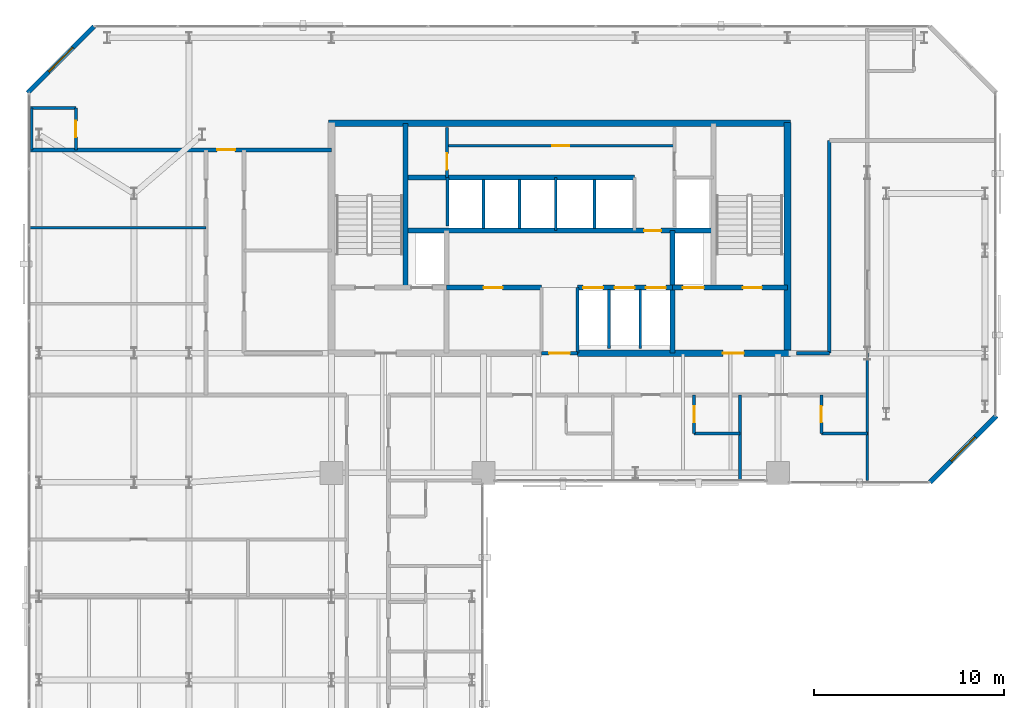
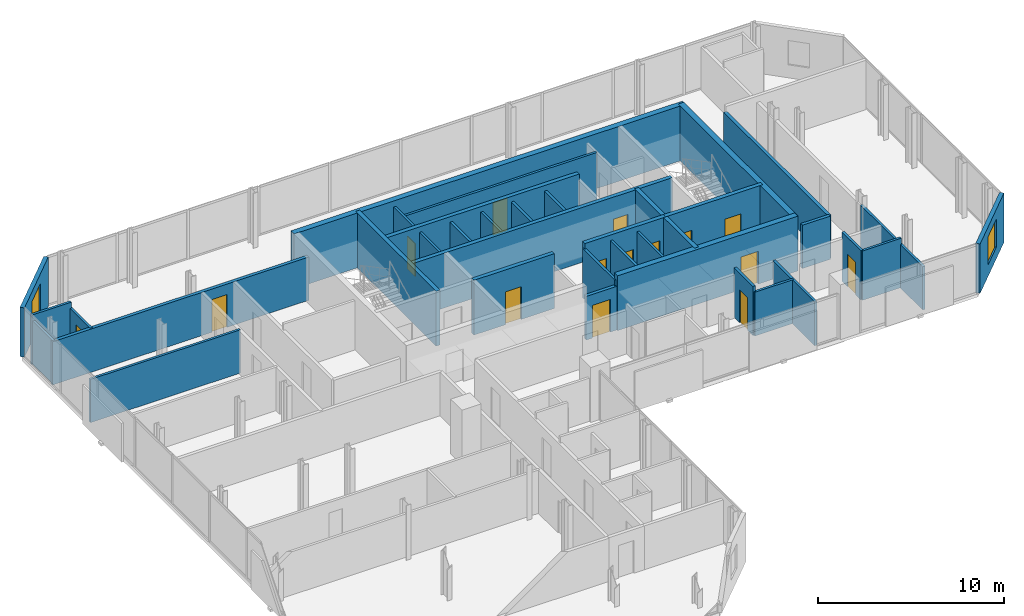
# One storey, part 29 of 32: 36 walls, 15 doors, 2 windows, 17 openings.
"""IFC4 building model written with IfcOpenShell, lengths in metres."""

from ifc_helpers import new_model, si_unit, direction, frame, frame_2d, origin, place, context, subcontext, project, spatial, rectangle, extrude, material, layer, layer_set, type_object, element, fill, save


model = new_model("IFC4")

# Units and contexts
model_context = context("Model", 3, precision=1e-05, world=origin(), true_north=direction((0.0, 1.0)))
body_context = subcontext(model_context, "Body", "Model", "MODEL_VIEW")
ifc_project = project(units=[si_unit("LENGTHUNIT", "METRE"), si_unit("AREAUNIT", "SQUARE_METRE"), si_unit("VOLUMEUNIT", "CUBIC_METRE"), si_unit("PLANEANGLEUNIT", "RADIAN"), si_unit("MASSUNIT", "GRAM", prefix="KILO")], contexts=[model_context])

# Site, building, storey
site_placement = place(None, origin())
site = spatial("IfcSite", under=ifc_project, at=site_placement, CompositionType="ELEMENT")
building_placement = place(site_placement, origin())
building = spatial("IfcBuilding", under=site, at=building_placement, Name="Catumbela Crestline Tower", CompositionType="ELEMENT")
storey_placement = place(building_placement, frame((0.0, 0.0, 140.4)))
storey = spatial("IfcBuildingStorey", under=building, at=storey_placement, Name="L36", CompositionType="ELEMENT", Elevation=140.4)

# Walls
ifc_material_1 = material(Name="Concrete C50/60", Category="concrete")
ifc_layer_1 = layer(ifc_material_1, 0.25, Name="Concrete C50/60")
ifc_layer_set_1 = layer_set([ifc_layer_1], Name="Concrete C50/60")
wall_type_1 = type_object("IfcWallType", Name="CW-250D", PredefinedType="SHEAR", material=ifc_layer_set_1)
wall_1_placement = place(storey_placement, frame((19.9, 34.25, 0.0), z_axis=(0.0, 0.0, 1.0), x_axis=(0.0, 1.0, 0.0)))
element("IfcWall", 1, at=wall_1_placement, inside=storey, type_object=wall_type_1, Name="L36 Structural Core Shear Wall WWEB", PredefinedType="SHEAR", context=body_context, shape_type="SweptSolid", body=[
    extrude(rectangle(XDim=8.65, YDim=0.25, at=frame_2d((4.325, 0.0))), origin(), (0.0, 0.0, 1.0), 3.6),
])
wall_2_placement = place(storey_placement, frame((33.95, 30.8, 0.0), z_axis=(0.0, 0.0, 1.0), x_axis=(0.0, 1.0, 0.0)))
element("IfcWall", 2, at=wall_2_placement, inside=storey, type_object=wall_type_1, Name="L36 Structural Core Shear Wall FFE", PredefinedType="SHEAR", context=body_context, shape_type="SweptSolid", body=[
    extrude(rectangle(XDim=6.45, YDim=0.25, at=frame_2d((3.225, 0.0))), origin(), (0.0, 0.0, 1.0), 3.6),
])

# Wall, openings, doors
wall_3_placement = place(storey_placement, frame((33.95, 34.25, 0.0), z_axis=(0.0, 0.0, 1.0), x_axis=(1.0, 0.0, 0.0)))
wall_3 = element("IfcWall", 3, at=wall_3_placement, inside=storey, type_object=wall_type_1, Name="L36 Structural Core Shear Wall ST2S", PredefinedType="SHEAR", context=body_context, shape_type="SweptSolid", body=[
    extrude(rectangle(XDim=6.05, YDim=0.25, at=frame_2d((3.025, 0.0))), origin(), (0.0, 0.0, 1.0), 3.6),
])
opening_1_placement = place(wall_3_placement, frame((3.7, 0.0, 0.0)))
opening_1 = element("IfcOpeningElement", 4, at=opening_1_placement, cuts=wall_3, Name="Opening DF9-100", PredefinedType="OPENING", context=body_context, shape_type="SweptSolid", body=[
    extrude(rectangle(XDim=1.0, YDim=2.15, at=frame_2d((0.5, 1.075))), frame((0.0, 0.135, 0.0), z_axis=(0.0, -1.0, 0.0), x_axis=(1.0, 0.0, 0.0)), (0.0, 0.0, 1.0), 0.27),
])
opening_2_placement = place(wall_3_placement, frame((0.55, 0.0, 0.0)))
opening_2 = element("IfcOpeningElement", 5, at=opening_2_placement, cuts=wall_3, Name="Opening LD-110", PredefinedType="OPENING", context=body_context, shape_type="SweptSolid", body=[
    extrude(rectangle(XDim=1.1, YDim=2.15, at=frame_2d((0.55, 1.075))), frame((0.0, 0.135, 0.0), z_axis=(0.0, -1.0, 0.0), x_axis=(1.0, 0.0, 0.0)), (0.0, 0.0, 1.0), 0.27),
])
ifc_material_2 = material(Name="Stainless steel EN 1.4401", Category="steel")
door_type_1 = type_object("IfcDoorType", Name="DF9-100", OperationType="NOTDEFINED", PredefinedType="DOOR", material=ifc_material_2)
door_1_placement = place(opening_1_placement, origin())
door_1 = element("IfcDoor", 6, at=door_1_placement, inside=storey, type_object=door_type_1, Name="L36 Interior Door DR-L36-ST02", OperationType="SINGLE_SWING_RIGHT", OverallHeight=2.15, OverallWidth=1.0, PredefinedType="DOOR", context=body_context, shape_type="SweptSolid", body=[
    extrude(rectangle(XDim=1.0, YDim=2.15, at=frame_2d((0.5, 1.075))), frame((0.0, 0.025, 0.0), z_axis=(0.0, -1.0, 0.0), x_axis=(1.0, 0.0, 0.0)), (0.0, 0.0, 1.0), 0.05),
])
fill(opening_1, door_1)
door_type_2 = type_object("IfcDoorType", Name="LD-110", OperationType="NOTDEFINED", PredefinedType="DOOR", material=ifc_material_2)
door_2_placement = place(opening_2_placement, origin())
door_2 = element("IfcDoor", 7, at=door_2_placement, inside=storey, type_object=door_type_2, Name="L36 Lift Landing Sliding Door FL-02", OperationType="DOUBLE_DOOR_SLIDING", OverallHeight=2.15, OverallWidth=1.1, PredefinedType="DOOR", context=body_context, shape_type="SweptSolid", body=[
    extrude(rectangle(XDim=1.1, YDim=2.15, at=frame_2d((0.55, 1.075))), frame((0.0, 0.025, 0.0), z_axis=(0.0, -1.0, 0.0), x_axis=(1.0, 0.0, 0.0)), (0.0, 0.0, 1.0), 0.05),
])
fill(opening_2, door_2)

# Wall, opening, door
wall_4_placement = place(storey_placement, frame((22.05, 34.25, 0.0), z_axis=(0.0, 0.0, 1.0), x_axis=(1.0, 0.0, 0.0)))
wall_4 = element("IfcWall", 8, at=wall_4_placement, inside=storey, type_object=wall_type_1, Name="L36 Structural Core Shear Wall LIFTS-W", PredefinedType="SHEAR", context=body_context, shape_type="SweptSolid", body=[
    extrude(rectangle(XDim=5.0, YDim=0.25, at=frame_2d((2.5, 0.0))), origin(), (0.0, 0.0, 1.0), 3.6),
])
opening_3_placement = place(wall_4_placement, frame((1.95, 0.0, 0.0)))
opening_3 = element("IfcOpeningElement", 9, at=opening_3_placement, cuts=wall_4, Name="Opening DF9-100", PredefinedType="OPENING", context=body_context, shape_type="SweptSolid", body=[
    extrude(rectangle(XDim=1.0, YDim=2.15, at=frame_2d((0.5, 1.075))), frame((0.0, 0.135, 0.0), z_axis=(0.0, -1.0, 0.0), x_axis=(1.0, 0.0, 0.0)), (0.0, 0.0, 1.0), 0.27),
])
door_3_placement = place(opening_3_placement, origin())
door_3 = element("IfcDoor", 10, at=door_3_placement, inside=storey, type_object=door_type_1, Name="L36 Interior Door DR-L36-RECL1", OperationType="SINGLE_SWING_LEFT", OverallHeight=2.15, OverallWidth=1.0, PredefinedType="DOOR", context=body_context, shape_type="SweptSolid", body=[
    extrude(rectangle(XDim=1.0, YDim=2.15, at=frame_2d((0.5, 1.075))), frame((0.0, 0.025, 0.0), z_axis=(0.0, -1.0, 0.0), x_axis=(1.0, 0.0, 0.0)), (0.0, 0.0, 1.0), 0.05),
])
fill(opening_3, door_3)

# Wall, openings, doors
wall_5_placement = place(storey_placement, frame((28.95, 34.25, 0.0), z_axis=(0.0, 0.0, 1.0), x_axis=(1.0, 0.0, 0.0)))
wall_5 = element("IfcWall", 11, at=wall_5_placement, inside=storey, type_object=wall_type_1, Name="L36 Structural Core Shear Wall LIFTS-E", PredefinedType="SHEAR", context=body_context, shape_type="SweptSolid", body=[
    extrude(rectangle(XDim=5.0, YDim=0.25, at=frame_2d((2.5, 0.0))), origin(), (0.0, 0.0, 1.0), 3.6),
])
opening_4_placement = place(wall_5_placement, frame((0.3, 0.0, 0.0)))
opening_4 = element("IfcOpeningElement", 12, at=opening_4_placement, cuts=wall_5, Name="Opening LD-105", PredefinedType="OPENING", context=body_context, shape_type="SweptSolid", body=[
    extrude(rectangle(XDim=1.05, YDim=2.15, at=frame_2d((0.525, 1.075))), frame((0.0, 0.135, 0.0), z_axis=(0.0, -1.0, 0.0), x_axis=(1.0, 0.0, 0.0)), (0.0, 0.0, 1.0), 0.27),
])
opening_5_placement = place(wall_5_placement, frame((1.95, 0.0, 0.0)))
opening_5 = element("IfcOpeningElement", 13, at=opening_5_placement, cuts=wall_5, Name="Opening LD-105", PredefinedType="OPENING", context=body_context, shape_type="SweptSolid", body=[
    extrude(rectangle(XDim=1.05, YDim=2.15, at=frame_2d((0.525, 1.075))), frame((0.0, 0.135, 0.0), z_axis=(0.0, -1.0, 0.0), x_axis=(1.0, 0.0, 0.0)), (0.0, 0.0, 1.0), 0.27),
])
opening_6_placement = place(wall_5_placement, frame((3.6, 0.0, 0.0)))
opening_6 = element("IfcOpeningElement", 14, at=opening_6_placement, cuts=wall_5, Name="Opening LD-105", PredefinedType="OPENING", context=body_context, shape_type="SweptSolid", body=[
    extrude(rectangle(XDim=1.05, YDim=2.15, at=frame_2d((0.525, 1.075))), frame((0.0, 0.135, 0.0), z_axis=(0.0, -1.0, 0.0), x_axis=(1.0, 0.0, 0.0)), (0.0, 0.0, 1.0), 0.27),
])
door_type_3 = type_object("IfcDoorType", Name="LD-105", OperationType="NOTDEFINED", PredefinedType="DOOR", material=ifc_material_2)
door_4_placement = place(opening_4_placement, origin())
door_4 = element("IfcDoor", 15, at=door_4_placement, inside=storey, type_object=door_type_3, Name="L36 Lift Landing Sliding Door PL-M1", OperationType="DOUBLE_DOOR_SLIDING", OverallHeight=2.15, OverallWidth=1.05, PredefinedType="DOOR", context=body_context, shape_type="SweptSolid", body=[
    extrude(rectangle(XDim=1.05, YDim=2.15, at=frame_2d((0.525, 1.075))), frame((0.0, 0.025, 0.0), z_axis=(0.0, -1.0, 0.0), x_axis=(1.0, 0.0, 0.0)), (0.0, 0.0, 1.0), 0.05),
])
fill(opening_4, door_4)
door_5_placement = place(opening_5_placement, origin())
door_5 = element("IfcDoor", 16, at=door_5_placement, inside=storey, type_object=door_type_3, Name="L36 Lift Landing Sliding Door PL-M2", OperationType="DOUBLE_DOOR_SLIDING", OverallHeight=2.15, OverallWidth=1.05, PredefinedType="DOOR", context=body_context, shape_type="SweptSolid", body=[
    extrude(rectangle(XDim=1.05, YDim=2.15, at=frame_2d((0.525, 1.075))), frame((0.0, 0.025, 0.0), z_axis=(0.0, -1.0, 0.0), x_axis=(1.0, 0.0, 0.0)), (0.0, 0.0, 1.0), 0.05),
])
fill(opening_5, door_5)
door_6_placement = place(opening_6_placement, origin())
door_6 = element("IfcDoor", 17, at=door_6_placement, inside=storey, type_object=door_type_3, Name="L36 Lift Landing Sliding Door PL-M3", OperationType="DOUBLE_DOOR_SLIDING", OverallHeight=2.15, OverallWidth=1.05, PredefinedType="DOOR", context=body_context, shape_type="SweptSolid", body=[
    extrude(rectangle(XDim=1.05, YDim=2.15, at=frame_2d((0.525, 1.075))), frame((0.0, 0.025, 0.0), z_axis=(0.0, -1.0, 0.0), x_axis=(1.0, 0.0, 0.0)), (0.0, 0.0, 1.0), 0.05),
])
fill(opening_6, door_6)

# Wall, opening, door
wall_6_placement = place(storey_placement, frame((19.9, 37.25, 0.0), z_axis=(0.0, 0.0, 1.0), x_axis=(1.0, 0.0, 0.0)))
wall_6 = element("IfcWall", 18, at=wall_6_placement, inside=storey, type_object=wall_type_1, Name="L36 Structural Core Shear Wall LIFTN", PredefinedType="SHEAR", context=body_context, shape_type="SweptSolid", body=[
    extrude(rectangle(XDim=16.2, YDim=0.25, at=frame_2d((8.1, 0.0))), origin(), (0.0, 0.0, 1.0), 3.6),
])
opening_7_placement = place(wall_6_placement, frame((12.55, 0.0, 0.0)))
opening_7 = element("IfcOpeningElement", 19, at=opening_7_placement, cuts=wall_6, Name="Opening DF9-090", PredefinedType="OPENING", context=body_context, shape_type="SweptSolid", body=[
    extrude(rectangle(XDim=0.9, YDim=2.15, at=frame_2d((0.45, 1.075))), frame((0.0, 0.135, 0.0), z_axis=(0.0, -1.0, 0.0), x_axis=(1.0, 0.0, 0.0)), (0.0, 0.0, 1.0), 0.27),
])
door_type_4 = type_object("IfcDoorType", Name="DF9-090", OperationType="NOTDEFINED", PredefinedType="DOOR", material=ifc_material_2)
door_7_placement = place(opening_7_placement, origin())
door_7 = element("IfcDoor", 20, at=door_7_placement, inside=storey, type_object=door_type_4, Name="L36 Interior Door DR-L36-CPAS1", OperationType="SINGLE_SWING_LEFT", OverallHeight=2.15, OverallWidth=0.9, PredefinedType="DOOR", context=body_context, shape_type="SweptSolid", body=[
    extrude(rectangle(XDim=0.9, YDim=2.15, at=frame_2d((0.45, 1.075))), frame((0.0, 0.025, 0.0), z_axis=(0.0, -1.0, 0.0), x_axis=(1.0, 0.0, 0.0)), (0.0, 0.0, 1.0), 0.05),
])
fill(opening_7, door_7)

# Walls
wall_7_placement = place(storey_placement, frame((19.9, 40.05, 0.0), z_axis=(0.0, 0.0, 1.0), x_axis=(1.0, 0.0, 0.0)))
element("IfcWall", 21, at=wall_7_placement, inside=storey, type_object=wall_type_1, Name="L36 Structural Core Shear Wall COREN", PredefinedType="SHEAR", context=body_context, shape_type="SweptSolid", body=[
    extrude(rectangle(XDim=12.05, YDim=0.25, at=frame_2d((6.025, 0.0))), origin(), (0.0, 0.0, 1.0), 3.6),
])
ifc_layer_2 = layer(ifc_material_1, 0.35, Name="Concrete C50/60")
ifc_layer_set_2 = layer_set([ifc_layer_2], Name="Concrete C50/60")
wall_type_2 = type_object("IfcWallType", Name="CW-350B", PredefinedType="SHEAR", material=ifc_layer_set_2)
wall_8_placement = place(storey_placement, frame((40.0, 30.65, 0.0), z_axis=(0.0, 0.0, 1.0), x_axis=(0.0, 1.0, 0.0)))
element("IfcWall", 22, at=wall_8_placement, inside=storey, type_object=wall_type_2, Name="L36 Structural Core Shear Wall E", PredefinedType="SHEAR", context=body_context, shape_type="SweptSolid", body=[
    extrude(rectangle(XDim=12.3, YDim=0.35, at=frame_2d((6.15, 0.0))), origin(), (0.0, 0.0, 1.0), 3.6),
])
wall_9_placement = place(storey_placement, frame((15.85, 42.9, 0.0), z_axis=(0.0, 0.0, 1.0), x_axis=(1.0, 0.0, 0.0)))
element("IfcWall", 23, at=wall_9_placement, inside=storey, type_object=wall_type_2, Name="L36 Structural Core Shear Wall N", PredefinedType="SHEAR", context=body_context, shape_type="SweptSolid", body=[
    extrude(rectangle(XDim=24.3, YDim=0.35, at=frame_2d((12.15, 0.0))), origin(), (0.0, 0.0, 1.0), 3.6),
])

# Wall, opening, door
wall_10_placement = place(storey_placement, frame((28.95, 30.8, 0.0), z_axis=(0.0, 0.0, 1.0), x_axis=(1.0, 0.0, 0.0)))
wall_10 = element("IfcWall", 24, at=wall_10_placement, inside=storey, type_object=wall_type_2, Name="L36 Structural Core Shear Wall SE", PredefinedType="SHEAR", context=body_context, shape_type="SweptSolid", body=[
    extrude(rectangle(XDim=11.2, YDim=0.35, at=frame_2d((5.6, 0.0))), origin(), (0.0, 0.0, 1.0), 3.6),
])
opening_8_placement = place(wall_10_placement, frame((7.65, 0.0, 0.0)))
opening_8 = element("IfcOpeningElement", 25, at=opening_8_placement, cuts=wall_10, Name="Opening DF9-110", PredefinedType="OPENING", context=body_context, shape_type="SweptSolid", body=[
    extrude(rectangle(XDim=1.1, YDim=2.15, at=frame_2d((0.55, 1.075))), frame((0.0, 0.185, 0.0), z_axis=(0.0, -1.0, 0.0), x_axis=(1.0, 0.0, 0.0)), (0.0, 0.0, 1.0), 0.37),
])
door_type_5 = type_object("IfcDoorType", Name="DF9-110", OperationType="NOTDEFINED", PredefinedType="DOOR", material=ifc_material_2)
door_8_placement = place(opening_8_placement, origin())
door_8 = element("IfcDoor", 26, at=door_8_placement, inside=storey, type_object=door_type_5, Name="L36 Interior Door DR-L36-FFE-S", OperationType="SINGLE_SWING_RIGHT", OverallHeight=2.15, OverallWidth=1.1, PredefinedType="DOOR", context=body_context, shape_type="SweptSolid", body=[
    extrude(rectangle(XDim=1.1, YDim=2.15, at=frame_2d((0.55, 1.075))), frame((0.0, 0.025, 0.0), z_axis=(0.0, -1.0, 0.0), x_axis=(1.0, 0.0, 0.0)), (0.0, 0.0, 1.0), 0.05),
])
fill(opening_8, door_8)

ifc_material_3 = material(Name="Acoustic gypsum and mineral-wool partition")
ifc_layer_3 = layer(ifc_material_3, 0.2, Name="Acoustic gypsum and mineral-wool partition")
ifc_layer_set_3 = layer_set([ifc_layer_3], Name="Acoustic gypsum and mineral-wool partition")
wall_type_3 = type_object("IfcWallType", Name="WC-200", PredefinedType="PARTITIONING", material=ifc_layer_set_3)
wall_11_placement = place(storey_placement, frame((27.05, 30.8, 0.0), z_axis=(0.0, 0.0, 1.0), x_axis=(1.0, 0.0, 0.0)))
wall_11 = element("IfcWall", 27, at=wall_11_placement, inside=storey, type_object=wall_type_3, Name="L36 Interior Partition PW-L36-CLOBS", PredefinedType="PARTITIONING", context=body_context, shape_type="SweptSolid", body=[
    extrude(rectangle(XDim=1.9, YDim=0.2, at=frame_2d((0.95, 0.0))), origin(), (0.0, 0.0, 1.0), 2.87),
])
opening_9_placement = place(wall_11_placement, frame((0.4, 0.0, 0.0)))
opening_9 = element("IfcOpeningElement", 28, at=opening_9_placement, cuts=wall_11, Name="Opening DF9-110", PredefinedType="OPENING", context=body_context, shape_type="SweptSolid", body=[
    extrude(rectangle(XDim=1.1, YDim=2.15, at=frame_2d((0.55, 1.075))), frame((0.0, 0.11, 0.0), z_axis=(0.0, -1.0, 0.0), x_axis=(1.0, 0.0, 0.0)), (0.0, 0.0, 1.0), 0.22),
])
door_9_placement = place(opening_9_placement, origin())
door_9 = element("IfcDoor", 29, at=door_9_placement, inside=storey, type_object=door_type_5, Name="L36 Interior Door DR-L36-CLOBS", OperationType="SINGLE_SWING_LEFT", OverallHeight=2.15, OverallWidth=1.1, PredefinedType="DOOR", context=body_context, shape_type="SweptSolid", body=[
    extrude(rectangle(XDim=1.1, YDim=2.15, at=frame_2d((0.55, 1.075))), frame((0.0, 0.025, 0.0), z_axis=(0.0, -1.0, 0.0), x_axis=(1.0, 0.0, 0.0)), (0.0, 0.0, 1.0), 0.05),
])
fill(opening_9, door_9)

# Walls
wall_12_placement = place(storey_placement, frame((40.47, 30.8, 0.0), z_axis=(0.0, 0.0, 1.0), x_axis=(1.0, 0.0, 0.0)))
element("IfcWall", 30, at=wall_12_placement, inside=storey, type_object=wall_type_3, Name="L36 Interior Partition PW-L36-Z2CW-E1", PredefinedType="PARTITIONING", context=body_context, shape_type="SweptSolid", body=[
    extrude(rectangle(XDim=1.73, YDim=0.2, at=frame_2d((0.865, 0.0))), origin(), (0.0, 0.0, 1.0), 2.84),
])
wall_13_placement = place(storey_placement, frame((42.2, 30.8, 0.0), z_axis=(0.0, 0.0, 1.0), x_axis=(0.0, 1.0, 0.0)))
element("IfcWall", 31, at=wall_13_placement, inside=storey, type_object=wall_type_3, Name="L36 Interior Partition PW-L36-Z2CW-E2", PredefinedType="PARTITIONING", context=body_context, shape_type="SweptSolid", body=[
    extrude(rectangle(XDim=11.2, YDim=0.2, at=frame_2d((5.6, 0.0))), origin(), (0.0, 0.0, 1.0), 2.84),
])

# Wall, opening, door
wall_14_placement = place(storey_placement, frame((0.1, 41.5, 0.0), z_axis=(0.0, 0.0, 1.0), x_axis=(1.0, 0.0, 0.0)))
wall_14 = element("IfcWall", 32, at=wall_14_placement, inside=storey, type_object=wall_type_3, Name="L36 Interior Partition PW-L36-Z2NWT-ENT", PredefinedType="PARTITIONING", context=body_context, shape_type="SweptSolid", body=[
    extrude(rectangle(XDim=15.9, YDim=0.2, at=frame_2d((7.95, 0.0))), origin(), (0.0, 0.0, 1.0), 2.84),
])
opening_10_placement = place(wall_14_placement, frame((9.8771, 0.0, 0.0)))
opening_10 = element("IfcOpeningElement", 33, at=opening_10_placement, cuts=wall_14, Name="Opening DF6-095", PredefinedType="OPENING", context=body_context, shape_type="SweptSolid", body=[
    extrude(rectangle(XDim=0.95, YDim=2.15, at=frame_2d((0.475, 1.075))), frame((0.0, 0.11, 0.0), z_axis=(0.0, -1.0, 0.0), x_axis=(1.0, 0.0, 0.0)), (0.0, 0.0, 1.0), 0.22),
])
ifc_material_4 = material(Name="Aluminium alloy AW-6060-T66", Category="aluminium")
door_type_6 = type_object("IfcDoorType", Name="DF6-095", OperationType="NOTDEFINED", PredefinedType="DOOR", material=ifc_material_4)
door_10_placement = place(opening_10_placement, origin())
door_10 = element("IfcDoor", 34, at=door_10_placement, inside=storey, type_object=door_type_6, Name="L36 Interior Door DR-L36-Z2NWT-ENT", OperationType="SINGLE_SWING_RIGHT", OverallHeight=2.15, OverallWidth=0.95, PredefinedType="DOOR", context=body_context, shape_type="SweptSolid", body=[
    extrude(rectangle(XDim=0.95, YDim=2.15, at=frame_2d((0.475, 1.075))), frame((0.0, 0.025, 0.0), z_axis=(0.0, -1.0, 0.0), x_axis=(1.0, 0.0, 0.0)), (0.0, 0.0, 1.0), 0.05),
])
fill(opening_10, door_10)

# Wall, opening, window
ifc_material_5 = material(Name="Angolan grey-ochre granite", Category="masonry")
ifc_layer_4 = layer(ifc_material_5, 0.25, Name="Angolan grey-ochre granite")
ifc_layer_set_4 = layer_set([ifc_layer_4], Name="Angolan grey-ochre granite")
wall_type_4 = type_object("IfcWallType", Name="WE-250", PredefinedType="STANDARD", material=ifc_layer_set_4)
wall_15_placement = place(storey_placement, frame((47.5, 24.0, 0.0), z_axis=(0.0, 0.0, 1.0), x_axis=(0.707106781187, 0.707106781187, 0.0)))
wall_15 = element("IfcWall", 35, at=wall_15_placement, inside=storey, type_object=wall_type_4, Name="L36 Granite Punched Window Wall 4-1", PredefinedType="STANDARD", context=body_context, shape_type="SweptSolid", body=[
    extrude(rectangle(XDim=4.9497, YDim=0.25, at=frame_2d((2.4748, 0.0))), origin(), (0.0, 0.0, 1.0), 3.24),
])
opening_11_placement = place(wall_15_placement, frame((1.5749, 0.0, 0.75)))
opening_11 = element("IfcOpeningElement", 36, at=opening_11_placement, cuts=wall_15, Name="Opening WN-01", PredefinedType="OPENING", context=body_context, shape_type="SweptSolid", body=[
    extrude(rectangle(XDim=1.8, YDim=1.85, at=frame_2d((0.9, 0.925))), frame((0.0, 0.135, 0.0), z_axis=(0.0, -1.0, 0.0), x_axis=(1.0, 0.0, 0.0)), (0.0, 0.0, 1.0), 0.27),
])
ifc_material_6 = material(Name="Low-E laminated solar-control double glazing", Category="glass")
window_type = type_object("IfcWindowType", Name="WF-1800", PartitioningType="SINGLE_PANEL", PredefinedType="WINDOW", material=ifc_material_6)
window_1_placement = place(opening_11_placement, origin())
window_1 = element("IfcWindow", 37, at=window_1_placement, inside=storey, type_object=window_type, Name="L36 Facade Vision Window 201", OverallHeight=1.85, OverallWidth=1.8, PartitioningType="SINGLE_PANEL", PredefinedType="WINDOW", context=body_context, shape_type="SweptSolid", body=[
    extrude(rectangle(XDim=1.8, YDim=1.85, at=frame_2d((0.9, 0.925))), frame((0.0, 0.03, 0.0), z_axis=(0.0, -1.0, 0.0), x_axis=(1.0, 0.0, 0.0)), (0.0, 0.0, 1.0), 0.06),
])
fill(opening_11, window_1)

wall_16_placement = place(storey_placement, frame((3.5, 48.0, 0.0), z_axis=(0.0, 0.0, 1.0), x_axis=(-0.707106781187, -0.707106781187, 0.0)))
wall_16 = element("IfcWall", 38, at=wall_16_placement, inside=storey, type_object=wall_type_4, Name="L36 Granite Punched Window Wall 8-1", PredefinedType="STANDARD", context=body_context, shape_type="SweptSolid", body=[
    extrude(rectangle(XDim=4.9497, YDim=0.25, at=frame_2d((2.4748, 0.0))), origin(), (0.0, 0.0, 1.0), 3.24),
])
opening_12_placement = place(wall_16_placement, frame((1.5749, 0.0, 0.75)))
opening_12 = element("IfcOpeningElement", 39, at=opening_12_placement, cuts=wall_16, Name="Opening WN-01", PredefinedType="OPENING", context=body_context, shape_type="SweptSolid", body=[
    extrude(rectangle(XDim=1.8, YDim=1.85, at=frame_2d((0.9, 0.925))), frame((0.0, 0.135, 0.0), z_axis=(0.0, -1.0, 0.0), x_axis=(1.0, 0.0, 0.0)), (0.0, 0.0, 1.0), 0.27),
])
window_2_placement = place(opening_12_placement, origin())
window_2 = element("IfcWindow", 40, at=window_2_placement, inside=storey, type_object=window_type, Name="L36 Facade Vision Window 203", OverallHeight=1.85, OverallWidth=1.8, PartitioningType="SINGLE_PANEL", PredefinedType="WINDOW", context=body_context, shape_type="SweptSolid", body=[
    extrude(rectangle(XDim=1.8, YDim=1.85, at=frame_2d((0.9, 0.925))), frame((0.0, 0.03, 0.0), z_axis=(0.0, -1.0, 0.0), x_axis=(1.0, 0.0, 0.0)), (0.0, 0.0, 1.0), 0.06),
])
fill(opening_12, window_2)

# Wall, opening, door
ifc_layer_5 = layer(ifc_material_3, 0.15, Name="Acoustic gypsum and mineral-wool partition")
ifc_layer_set_5 = layer_set([ifc_layer_5], Name="Acoustic gypsum and mineral-wool partition")
wall_type_5 = type_object("IfcWallType", Name="WP-150", PredefinedType="PARTITIONING", material=ifc_layer_set_5)
wall_17_placement = place(storey_placement, frame((22.08, 40.05, 0.0), z_axis=(0.0, 0.0, 1.0), x_axis=(0.0, 1.0, 0.0)))
wall_17 = element("IfcWall", 41, at=wall_17_placement, inside=storey, type_object=wall_type_5, Name="L36 Interior Partition PW-L36-CR-WCW", PredefinedType="PARTITIONING", context=body_context, shape_type="SweptSolid", body=[
    extrude(rectangle(XDim=2.63, YDim=0.15, at=frame_2d((1.315, 0.0))), origin(), (0.0, 0.0, 1.0), 3.24),
])
opening_13_placement = place(wall_17_placement, frame((0.41, 0.0, 0.0)))
opening_13 = element("IfcOpeningElement", 42, at=opening_13_placement, cuts=wall_17, Name="Opening DI-085", PredefinedType="OPENING", context=body_context, shape_type="SweptSolid", body=[
    extrude(rectangle(XDim=0.85, YDim=2.15, at=frame_2d((0.425, 1.075))), frame((0.0, 0.085, 0.0), z_axis=(0.0, -1.0, 0.0), x_axis=(1.0, 0.0, 0.0)), (0.0, 0.0, 1.0), 0.17),
])
door_type_7 = type_object("IfcDoorType", Name="DI-085", OperationType="NOTDEFINED", PredefinedType="DOOR", material=ifc_material_4)
door_11_placement = place(opening_13_placement, origin())
door_11 = element("IfcDoor", 43, at=door_11_placement, inside=storey, type_object=door_type_7, Name="L36 Interior Door DR-L36-CRWC", OperationType="SINGLE_SWING_LEFT", OverallHeight=2.15, OverallWidth=0.85, PredefinedType="DOOR", context=body_context, shape_type="SweptSolid", body=[
    extrude(rectangle(XDim=0.85, YDim=2.15, at=frame_2d((0.425, 1.075))), frame((0.0, 0.025, 0.0), z_axis=(0.0, -1.0, 0.0), x_axis=(1.0, 0.0, 0.0)), (0.0, 0.0, 1.0), 0.05),
])
fill(opening_13, door_11)

wall_18_placement = place(storey_placement, frame((22.08, 41.72, 0.0), z_axis=(0.0, 0.0, 1.0), x_axis=(1.0, 0.0, 0.0)))
wall_18 = element("IfcWall", 44, at=wall_18_placement, inside=storey, type_object=wall_type_5, Name="L36 Interior Partition PW-L36-CR-MID", PredefinedType="PARTITIONING", context=body_context, shape_type="SweptSolid", body=[
    extrude(rectangle(XDim=11.97, YDim=0.15, at=frame_2d((5.985, 0.0))), origin(), (0.0, 0.0, 1.0), 3.24),
])
opening_14_placement = place(wall_18_placement, frame((5.535, 0.0, 0.0)))
opening_14 = element("IfcOpeningElement", 45, at=opening_14_placement, cuts=wall_18, Name="Opening DF9-090", PredefinedType="OPENING", context=body_context, shape_type="SweptSolid", body=[
    extrude(rectangle(XDim=0.9, YDim=2.15, at=frame_2d((0.45, 1.075))), frame((0.0, 0.085, 0.0), z_axis=(0.0, -1.0, 0.0), x_axis=(1.0, 0.0, 0.0)), (0.0, 0.0, 1.0), 0.17),
])
door_12_placement = place(opening_14_placement, origin())
door_12 = element("IfcDoor", 46, at=door_12_placement, inside=storey, type_object=door_type_4, Name="L36 Interior Door DR-L36-CRMID", OperationType="SINGLE_SWING_LEFT", OverallHeight=2.15, OverallWidth=0.9, PredefinedType="DOOR", context=body_context, shape_type="SweptSolid", body=[
    extrude(rectangle(XDim=0.9, YDim=2.15, at=frame_2d((0.45, 1.075))), frame((0.0, 0.025, 0.0), z_axis=(0.0, -1.0, 0.0), x_axis=(1.0, 0.0, 0.0)), (0.0, 0.0, 1.0), 0.05),
])
fill(opening_14, door_12)

# Wall
wall_19_placement = place(storey_placement, frame((0.1, 43.7, 0.0), z_axis=(0.0, 0.0, 1.0), x_axis=(1.0, 0.0, 0.0)))
element("IfcWall", 47, at=wall_19_placement, inside=storey, type_object=wall_type_5, Name="L36 Interior Partition PW-L36-Z2NWT-BHW", PredefinedType="PARTITIONING", context=body_context, shape_type="SweptSolid", body=[
    extrude(rectangle(XDim=2.45, YDim=0.15, at=frame_2d((1.225, 0.0))), origin(), (0.0, 0.0, 1.0), 3.24),
])

# Wall, opening, door
wall_20_placement = place(storey_placement, frame((2.55, 41.5, 0.0), z_axis=(0.0, 0.0, 1.0), x_axis=(0.0, 1.0, 0.0)))
wall_20 = element("IfcWall", 48, at=wall_20_placement, inside=storey, type_object=wall_type_5, Name="L36 Interior Partition PW-L36-Z2NWT-BEW", PredefinedType="PARTITIONING", context=body_context, shape_type="SweptSolid", body=[
    extrude(rectangle(XDim=2.2, YDim=0.15, at=frame_2d((1.1, 0.0))), origin(), (0.0, 0.0, 1.0), 2.84),
])
opening_15_placement = place(wall_20_placement, frame((0.675, 0.0, 0.0)))
opening_15 = element("IfcOpeningElement", 49, at=opening_15_placement, cuts=wall_20, Name="Opening DI-085", PredefinedType="OPENING", context=body_context, shape_type="SweptSolid", body=[
    extrude(rectangle(XDim=0.85, YDim=2.15, at=frame_2d((0.425, 1.075))), frame((0.0, 0.085, 0.0), z_axis=(0.0, -1.0, 0.0), x_axis=(1.0, 0.0, 0.0)), (0.0, 0.0, 1.0), 0.17),
])
door_13_placement = place(opening_15_placement, origin())
door_13 = element("IfcDoor", 50, at=door_13_placement, inside=storey, type_object=door_type_7, Name="L36 Interior Door DR-L36-Z2NWT-BTH", OperationType="SINGLE_SWING_LEFT", OverallHeight=2.15, OverallWidth=0.85, PredefinedType="DOOR", context=body_context, shape_type="SweptSolid", body=[
    extrude(rectangle(XDim=0.85, YDim=2.15, at=frame_2d((0.425, 1.075))), frame((0.0, 0.025, 0.0), z_axis=(0.0, -1.0, 0.0), x_axis=(1.0, 0.0, 0.0)), (0.0, 0.0, 1.0), 0.05),
])
fill(opening_15, door_13)

# Walls
wall_21_placement = place(storey_placement, frame((0.22, 41.5, 0.0), z_axis=(0.0, 0.0, 1.0), x_axis=(0.0, 1.0, 0.0)))
element("IfcWall", 51, at=wall_21_placement, inside=storey, type_object=wall_type_5, Name="L36 Interior Partition PW-L36-Z2NWT-BCL-2", PredefinedType="PARTITIONING", context=body_context, shape_type="SweptSolid", body=[
    extrude(rectangle(XDim=2.2, YDim=0.15, at=frame_2d((1.1, 0.0))), origin(), (0.0, 0.0, 1.0), 2.84),
])
wall_22_placement = place(storey_placement, frame((0.1, 37.4, 0.0), z_axis=(0.0, 0.0, 1.0), x_axis=(1.0, 0.0, 0.0)))
element("IfcWall", 52, at=wall_22_placement, inside=storey, type_object=wall_type_5, Name="L36 Interior Partition PW-L36-Z2G4-2", PredefinedType="PARTITIONING", context=body_context, shape_type="SweptSolid", body=[
    extrude(rectangle(XDim=9.3, YDim=0.15, at=frame_2d((4.65, 0.0))), origin(), (0.0, 0.0, 1.0), 2.84),
])
wall_23_placement = place(storey_placement, frame((35.088, 26.576, 0.0), z_axis=(0.0, 0.0, 1.0), x_axis=(1.0, 0.0, 0.0)))
element("IfcWall", 53, at=wall_23_placement, inside=storey, type_object=wall_type_5, Name="L36 Interior Partition PW-L36-SS2-BHW", PredefinedType="PARTITIONING", context=body_context, shape_type="SweptSolid", body=[
    extrude(rectangle(XDim=2.412, YDim=0.15, at=frame_2d((1.206, 0.0))), origin(), (0.0, 0.0, 1.0), 2.87),
])

# Wall, opening, door
wall_24_placement = place(storey_placement, frame((35.088, 26.576, 0.0), z_axis=(0.0, 0.0, 1.0), x_axis=(0.0, 1.0, 0.0)))
wall_24 = element("IfcWall", 54, at=wall_24_placement, inside=storey, type_object=wall_type_5, Name="L36 Interior Partition PW-L36-SS2-BWW", PredefinedType="PARTITIONING", context=body_context, shape_type="SweptSolid", body=[
    extrude(rectangle(XDim=2.024, YDim=0.15, at=frame_2d((1.012, 0.0))), origin(), (0.0, 0.0, 1.0), 3.24),
])
opening_16_placement = place(wall_24_placement, frame((0.587, 0.0, 0.0)))
opening_16 = element("IfcOpeningElement", 55, at=opening_16_placement, cuts=wall_24, Name="Opening DI-085", PredefinedType="OPENING", context=body_context, shape_type="SweptSolid", body=[
    extrude(rectangle(XDim=0.85, YDim=2.15, at=frame_2d((0.425, 1.075))), frame((0.0, 0.085, 0.0), z_axis=(0.0, -1.0, 0.0), x_axis=(1.0, 0.0, 0.0)), (0.0, 0.0, 1.0), 0.17),
])
door_14_placement = place(opening_16_placement, origin())
door_14 = element("IfcDoor", 56, at=door_14_placement, inside=storey, type_object=door_type_7, Name="L36 Interior Door DR-L36-SS2-BTH", OperationType="SINGLE_SWING_RIGHT", OverallHeight=2.15, OverallWidth=0.85, PredefinedType="DOOR", context=body_context, shape_type="SweptSolid", body=[
    extrude(rectangle(XDim=0.85, YDim=2.15, at=frame_2d((0.425, 1.075))), frame((0.0, 0.025, 0.0), z_axis=(0.0, -1.0, 0.0), x_axis=(1.0, 0.0, 0.0)), (0.0, 0.0, 1.0), 0.05),
])
fill(opening_16, door_14)

# Walls
wall_25_placement = place(storey_placement, frame((37.5, 28.6, 0.0), z_axis=(0.0, 0.0, 1.0), x_axis=(0.0, -1.0, 0.0)))
element("IfcWall", 57, at=wall_25_placement, inside=storey, type_object=wall_type_5, Name="L36 Interior Partition PW-L36-SS2-BCL-2", PredefinedType="PARTITIONING", context=body_context, shape_type="SweptSolid", body=[
    extrude(rectangle(XDim=4.5, YDim=0.15, at=frame_2d((2.25, 0.0))), origin(), (0.0, 0.0, 1.0), 2.87),
])
wall_26_placement = place(storey_placement, frame((41.788, 26.576, 0.0), z_axis=(0.0, 0.0, 1.0), x_axis=(1.0, 0.0, 0.0)))
element("IfcWall", 58, at=wall_26_placement, inside=storey, type_object=wall_type_5, Name="L36 Interior Partition PW-L36-SS3-BHW", PredefinedType="PARTITIONING", context=body_context, shape_type="SweptSolid", body=[
    extrude(rectangle(XDim=2.412, YDim=0.15, at=frame_2d((1.206, 0.0))), origin(), (0.0, 0.0, 1.0), 3.24),
])

# Wall, opening, door
wall_27_placement = place(storey_placement, frame((41.788, 26.576, 0.0), z_axis=(0.0, 0.0, 1.0), x_axis=(0.0, 1.0, 0.0)))
wall_27 = element("IfcWall", 59, at=wall_27_placement, inside=storey, type_object=wall_type_5, Name="L36 Interior Partition PW-L36-SS3-BWW", PredefinedType="PARTITIONING", context=body_context, shape_type="SweptSolid", body=[
    extrude(rectangle(XDim=2.024, YDim=0.15, at=frame_2d((1.012, 0.0))), origin(), (0.0, 0.0, 1.0), 3.24),
])
opening_17_placement = place(wall_27_placement, frame((0.587, 0.0, 0.0)))
opening_17 = element("IfcOpeningElement", 60, at=opening_17_placement, cuts=wall_27, Name="Opening DI-085", PredefinedType="OPENING", context=body_context, shape_type="SweptSolid", body=[
    extrude(rectangle(XDim=0.85, YDim=2.15, at=frame_2d((0.425, 1.075))), frame((0.0, 0.085, 0.0), z_axis=(0.0, -1.0, 0.0), x_axis=(1.0, 0.0, 0.0)), (0.0, 0.0, 1.0), 0.17),
])
door_15_placement = place(opening_17_placement, origin())
door_15 = element("IfcDoor", 61, at=door_15_placement, inside=storey, type_object=door_type_7, Name="L36 Interior Door DR-L36-SS3-BTH", OperationType="SINGLE_SWING_RIGHT", OverallHeight=2.15, OverallWidth=0.85, PredefinedType="DOOR", context=body_context, shape_type="SweptSolid", body=[
    extrude(rectangle(XDim=0.85, YDim=2.15, at=frame_2d((0.425, 1.075))), frame((0.0, 0.025, 0.0), z_axis=(0.0, -1.0, 0.0), x_axis=(1.0, 0.0, 0.0)), (0.0, 0.0, 1.0), 0.05),
])
fill(opening_17, door_15)

# Walls
wall_28_placement = place(storey_placement, frame((44.2, 30.8, 0.0), z_axis=(0.0, 0.0, 1.0), x_axis=(0.0, -1.0, 0.0)))
element("IfcWall", 62, at=wall_28_placement, inside=storey, type_object=wall_type_5, Name="L36 Interior Partition PW-L36-SS3-BCL-2", PredefinedType="PARTITIONING", context=body_context, shape_type="SweptSolid", body=[
    extrude(rectangle(XDim=6.7, YDim=0.15, at=frame_2d((3.35, 0.0))), origin(), (0.0, 0.0, 1.0), 2.84),
])
ifc_layer_6 = layer(ifc_material_3, 0.15, Name="Acoustic gypsum and mineral-wool partition")
ifc_layer_set_6 = layer_set([ifc_layer_6], Name="Acoustic gypsum and mineral-wool partition")
wall_type_6 = type_object("IfcWallType", Name="WS-150", PredefinedType="PLUMBINGWALL", material=ifc_layer_set_6)
wall_29_placement = place(storey_placement, frame((28.95, 30.8, 0.0), z_axis=(0.0, 0.0, 1.0), x_axis=(0.0, 1.0, 0.0)))
element("IfcWall", 63, at=wall_29_placement, inside=storey, type_object=wall_type_6, Name="L36 Interior Partition PW-L36-THRE", PredefinedType="PLUMBINGWALL", context=body_context, shape_type="SweptSolid", body=[
    extrude(rectangle(XDim=3.45, YDim=0.15, at=frame_2d((1.725, 0.0))), origin(), (0.0, 0.0, 1.0), 3.24),
])
for number, where, z_axis, x_axis, name in (
    (64, (30.6, 31.05, 0.0), (0.0, 0.0, 1.0), (0.0, 1.0, 0.0), "L36 Interior Partition PW-L36-SHM1"),
    (65, (32.25, 31.05, 0.0), (0.0, 0.0, 1.0), (0.0, 1.0, 0.0), "L36 Interior Partition PW-L36-SHM2"),
):
    element("IfcWall", number, at=place(storey_placement, frame(where, z_axis=z_axis, x_axis=x_axis)), inside=storey, type_object=wall_type_6, Name=name, PredefinedType="PLUMBINGWALL", context=body_context, shape_type="SweptSolid", body=[
        extrude(rectangle(XDim=3.1, YDim=0.15, at=frame_2d((1.55, 0.0))), origin(), (0.0, 0.0, 1.0), 3.24),
    ])
wall_30_placement = place(storey_placement, frame((22.1, 37.4897, 0.0), z_axis=(0.0, 0.0, 1.0), x_axis=(0.0, 1.0, 0.0)))
element("IfcWall", 66, at=wall_30_placement, inside=storey, type_object=wall_type_6, Name="L36 Interior Partition PW-L36-SHH0", PredefinedType="PLUMBINGWALL", context=body_context, shape_type="SweptSolid", body=[
    extrude(rectangle(XDim=2.5603, YDim=0.15, at=frame_2d((1.2801, 0.0))), origin(), (0.0, 0.0, 1.0), 3.24),
])
wall_31_placement = place(storey_placement, frame((27.8, 37.25, 0.0), z_axis=(0.0, 0.0, 1.0), x_axis=(0.0, 1.0, 0.0)))
element("IfcWall", 67, at=wall_31_placement, inside=storey, type_object=wall_type_6, Name="L36 Interior Partition PW-L36-SHH3", PredefinedType="PLUMBINGWALL", context=body_context, shape_type="SweptSolid", body=[
    extrude(rectangle(XDim=2.8, YDim=0.15, at=frame_2d((1.4, 0.0))), origin(), (0.0, 0.0, 1.0), 3.24),
])
for number, where, z_axis, x_axis, name in (
    (68, (24.0, 37.35, 0.0), (0.0, 0.0, 1.0), (0.0, 1.0, 0.0), "L36 Interior Partition PW-L36-SHH1"),
    (69, (25.9, 37.35, 0.0), (0.0, 0.0, 1.0), (0.0, 1.0, 0.0), "L36 Interior Partition PW-L36-SHH2"),
    (70, (29.85, 37.35, 0.0), (0.0, 0.0, 1.0), (0.0, 1.0, 0.0), "L36 Interior Partition PW-L36-SHEX1"),
):
    element("IfcWall", number, at=place(storey_placement, frame(where, z_axis=z_axis, x_axis=x_axis)), inside=storey, type_object=wall_type_6, Name=name, PredefinedType="PLUMBINGWALL", context=body_context, shape_type="SweptSolid", body=[
        extrude(rectangle(XDim=2.6, YDim=0.15, at=frame_2d((1.3, 0.0))), origin(), (0.0, 0.0, 1.0), 3.24),
    ])

save(model, "model.ifc")
